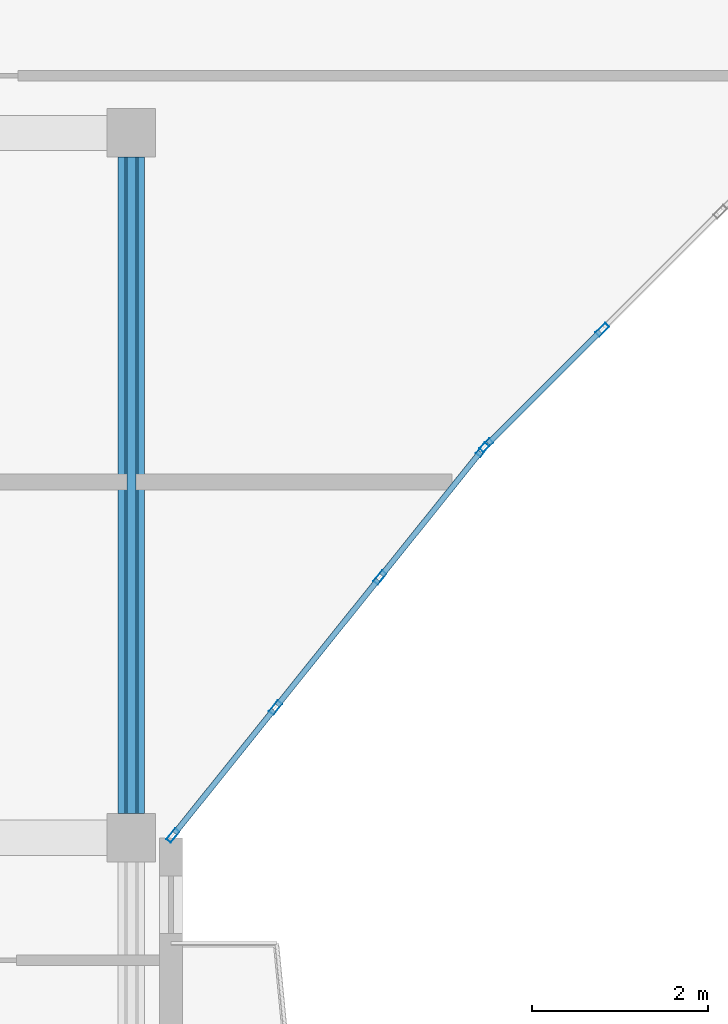
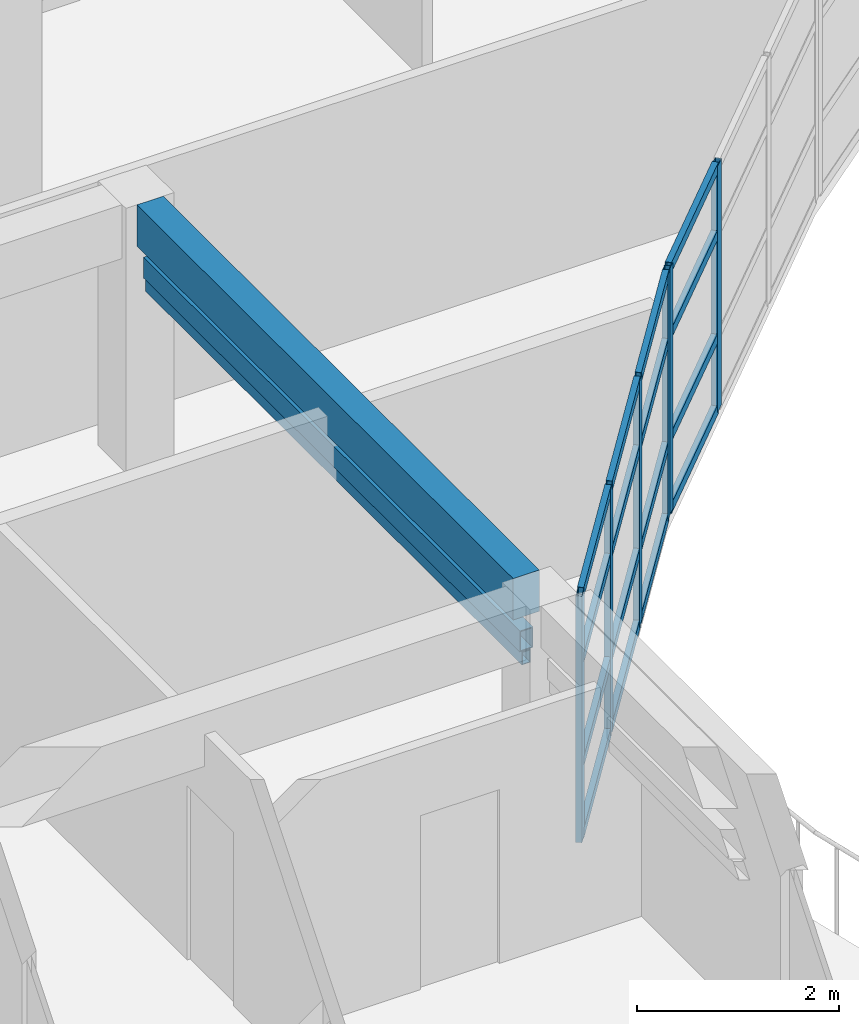
# One storey, part 6 of 68: 24 members, 1 beam, 2 elements without a shape of their own.
"""IFC4 building model written with IfcOpenShell, lengths in metres."""

from ifc_helpers import new_model, si_unit, direction, frame, origin, origin_2d, place, context, subcontext, project, spatial, rectangle, hollow_rectangle, extrude, material, layer, layer_set, material_profile, profile_set, type_object, element, aggregate, save


model = new_model("IFC4")

# Units and contexts
model_context = context("Model", 3, precision=1e-05, world=origin(), true_north=direction((0.0, 1.0)))
body_context = subcontext(model_context, "Body", "Model", "MODEL_VIEW")
ifc_project = project(units=[si_unit("LENGTHUNIT", "METRE"), si_unit("AREAUNIT", "SQUARE_METRE"), si_unit("VOLUMEUNIT", "CUBIC_METRE"), si_unit("PLANEANGLEUNIT", "RADIAN"), si_unit("MASSUNIT", "GRAM", prefix="KILO")], contexts=[model_context])

# Site, building, storey
site_placement = place(None, origin())
site = spatial("IfcSite", under=ifc_project, at=site_placement, CompositionType="ELEMENT")
building_placement = place(site_placement, origin())
building = spatial("IfcBuilding", under=site, at=building_placement, Name="Keldmere Railside Commons", CompositionType="ELEMENT")
storey_placement = place(building_placement, frame((0.0, 0.0, 23.360107421875)))
storey = spatial("IfcBuildingStorey", under=building, at=storey_placement, Name="L07", CompositionType="ELEMENT", Elevation=23.360107421875)

# Member
ifc_material_1 = material(Name="Steel F-36 (S355)", Category="steel")
ifc_material_profile_1 = material_profile(ifc_material_1, hollow_rectangle(XDim=0.14990234375, YDim=0.25, WallThickness=0.010009765625, at=origin_2d()), Name="RHS-250x150x10")
ifc_profile_set_1 = profile_set([ifc_material_profile_1], Name="Steel F-36 (S355)")
member_type_1 = type_object("IfcMemberType", Name="Balcony Continuous Planted Trough RHS250x150", PredefinedType="CHORD", material=ifc_profile_set_1)
member_1_placement = place(storey_placement, frame((63.550048828125, 88.27490234375, 2.414794921875), z_axis=(0.0, 1.0, 0.0), x_axis=(-1.0, 0.0, 0.0)))
element("IfcMember", 1, at=member_1_placement, inside=storey, type_object=member_type_1, Name="PLT-1 MEM-BPLT-0809", PredefinedType="CHORD", context=body_context, shape_type="SweptSolid", body=[
    extrude(hollow_rectangle(XDim=0.14990234375, YDim=0.25, WallThickness=0.010009765625, at=origin_2d()), origin(), (0.0, 0.0, 1.0), 7.4501953125),
])

# Beam
ifc_material_2 = material(Name="Concrete H-30 (C30/37)", Category="concrete")
ifc_material_profile_2 = material_profile(ifc_material_2, rectangle(XDim=0.300048828125, YDim=0.5, at=origin_2d()), Name="RC-300x500")
ifc_profile_set_2 = profile_set([ifc_material_profile_2], Name="Concrete H-30 (C30/37)")
beam_type = type_object("IfcBeamType", Name="Secondary Frame RC Beam 300x500", PredefinedType="BEAM", material=ifc_profile_set_2)
beam_placement = place(storey_placement, frame((63.550048828125, 88.27490234375, 2.949951171875), z_axis=(0.0, 1.0, 0.0), x_axis=(-1.0, 0.0, 0.0)))
element("IfcBeam", 2, at=beam_placement, inside=storey, type_object=beam_type, Name="BG-5 BM-L07-2114", PredefinedType="BEAM", context=body_context, shape_type="SweptSolid", body=[
    extrude(rectangle(XDim=0.300048828125, YDim=0.5, at=origin_2d()), origin(), (0.0, 0.0, 1.0), 7.4501953125),
])

# Member
ifc_material_profile_3 = material_profile(ifc_material_1, hollow_rectangle(XDim=0.10009765625, YDim=0.159912109375, WallThickness=0.008056640625, at=origin_2d()), Name="RHS-160x100x8")
ifc_profile_set_3 = profile_set([ifc_material_profile_3], Name="Steel F-36 (S355)")
member_type_2 = type_object("IfcMemberType", Name="Solar Brise-Soleil Louvre Fin RHS160x100", PredefinedType="STRUT", material=ifc_profile_set_3)
member_2_placement = place(storey_placement, frame((63.550048828125, 88.27490234375, 2.199951171875), z_axis=(0.0, 1.0, 0.0), x_axis=(-1.0, 0.0, 0.0)))
element("IfcMember", 3, at=member_2_placement, inside=storey, type_object=member_type_2, Name="BSF-1 MEM-BSF-0810", PredefinedType="STRUT", context=body_context, shape_type="SweptSolid", body=[
    extrude(hollow_rectangle(XDim=0.10009765625, YDim=0.159912109375, WallThickness=0.008056640625, at=origin_2d()), origin(), (0.0, 0.0, 1.0), 7.4501953125),
])

# Curtain wall, members
ifc_material_3 = material(Name="Thermally Broken Aluminium", Category="aluminium")
ifc_layer_1 = layer(ifc_material_3, 0.159912109375, Name="Court Chord Wintergarden CW 4800x2850")
ifc_layer_set_1 = layer_set([ifc_layer_1], Name="Thermally Broken Aluminium")
curtain_wall_type_1 = type_object("IfcCurtainWallType", Name="Court Chord Wintergarden CW 4800x2850", PredefinedType="NOTDEFINED", material=ifc_layer_set_1)
curtain_wall_1_placement = place(storey_placement, origin())
curtain_wall_1 = element("IfcCurtainWall", 4, at=curtain_wall_1_placement, inside=storey, type_object=curtain_wall_type_1, Name="CW-12 CW-L07-067", PredefinedType="NOTDEFINED")
ifc_material_profile_4 = material_profile(ifc_material_3, hollow_rectangle(XDim=0.06494140625, YDim=0.159912109375, WallThickness=0.00390625, at=origin_2d()), Name="ALU-MULL-65x160")
ifc_profile_set_4 = profile_set([ifc_material_profile_4], Name="Thermally Broken Aluminium")
member_type_3 = type_object("IfcMemberType", Name="Unitised Curtain Wall Mullion 65x160", PredefinedType="MULLION", material=ifc_profile_set_4)
member_3_placement = place(storey_placement, frame((67.53369140625, 92.404541015625, 0.0), z_axis=(0.0, 0.0, 1.0), x_axis=(0.780009172323, -0.625768080915, 0.0)))
member_3 = element("IfcMember", 5, at=member_3_placement, type_object=member_type_3, Name="CW-12 mullion 1", PredefinedType="MULLION", context=body_context, shape_type="SweptSolid", body=[
    extrude(hollow_rectangle(XDim=0.06494140625, YDim=0.159912109375, WallThickness=0.00390625, at=origin_2d()), origin(), (0.0, 0.0, 1.0), 2.97998046875),
])
member_4_placement = place(storey_placement, frame((66.369384765625, 90.953369140625, 0.0), z_axis=(0.0, 0.0, 1.0), x_axis=(0.780009172323, -0.625768080915, 0.0)))
member_4 = element("IfcMember", 6, at=member_4_placement, type_object=member_type_3, Name="CW-12 mullion 2", PredefinedType="MULLION", context=body_context, shape_type="SweptSolid", body=[
    extrude(hollow_rectangle(XDim=0.06494140625, YDim=0.159912109375, WallThickness=0.00390625, at=origin_2d()), origin(), (0.0, 0.0, 1.0), 2.97998046875),
])
member_5_placement = place(storey_placement, frame((65.1845703125, 89.4765625, 0.0), z_axis=(0.0, 0.0, 1.0), x_axis=(0.780009172323, -0.625768080915, 0.0)))
member_5 = element("IfcMember", 7, at=member_5_placement, type_object=member_type_3, Name="CW-12 mullion 3", PredefinedType="MULLION", context=body_context, shape_type="SweptSolid", body=[
    extrude(hollow_rectangle(XDim=0.06494140625, YDim=0.159912109375, WallThickness=0.00390625, at=origin_2d()), origin(), (0.0, 0.0, 1.0), 2.97998046875),
])
member_6_placement = place(storey_placement, frame((64.020263671875, 88.025390625, 0.0), z_axis=(0.0, 0.0, 1.0), x_axis=(0.780009172323, -0.625768080915, 0.0)))
member_6 = element("IfcMember", 8, at=member_6_placement, type_object=member_type_3, Name="CW-12 mullion 4", PredefinedType="MULLION", context=body_context, shape_type="SweptSolid", body=[
    extrude(hollow_rectangle(XDim=0.06494140625, YDim=0.159912109375, WallThickness=0.00390625, at=origin_2d()), origin(), (0.0, 0.0, 1.0), 2.97998046875),
])

ifc_layer_2 = layer(ifc_material_3, 0.159912109375, Name="Court Chord Wintergarden CW 5400x2850")
ifc_layer_set_2 = layer_set([ifc_layer_2], Name="Thermally Broken Aluminium")
curtain_wall_type_2 = type_object("IfcCurtainWallType", Name="Court Chord Wintergarden CW 5400x2850", PredefinedType="NOTDEFINED", material=ifc_layer_set_2)
curtain_wall_2_placement = place(storey_placement, origin())
curtain_wall_2 = element("IfcCurtainWall", 9, at=curtain_wall_2_placement, inside=storey, type_object=curtain_wall_type_2, Name="CW-13 CW-L07-068", PredefinedType="NOTDEFINED")
member_7_placement = place(storey_placement, frame((68.892578125, 93.7685546875, 0.0), z_axis=(0.0, 0.0, 1.0), x_axis=(0.707106781187, -0.707106781187, 0.0)))
member_7 = element("IfcMember", 10, at=member_7_placement, type_object=member_type_3, Name="CW-13 mullion 3", PredefinedType="MULLION", context=body_context, shape_type="SweptSolid", body=[
    extrude(hollow_rectangle(XDim=0.06494140625, YDim=0.159912109375, WallThickness=0.00390625, at=origin_2d()), origin(), (0.0, 0.0, 1.0), 2.97998046875),
])
member_8_placement = place(storey_placement, frame((67.576904296875, 92.452880859375, 0.0), z_axis=(0.0, 0.0, 1.0), x_axis=(0.707106781187, -0.707106781187, 0.0)))
member_8 = element("IfcMember", 11, at=member_8_placement, type_object=member_type_3, Name="CW-13 mullion 4", PredefinedType="MULLION", context=body_context, shape_type="SweptSolid", body=[
    extrude(hollow_rectangle(XDim=0.06494140625, YDim=0.159912109375, WallThickness=0.00390625, at=origin_2d()), origin(), (0.0, 0.0, 1.0), 2.97998046875),
])

# Member
ifc_material_profile_5 = material_profile(ifc_material_3, hollow_rectangle(XDim=0.06494140625, YDim=0.1201171875, WallThickness=0.00390625, at=origin_2d()), Name="ALU-TRAN-65x120")
ifc_profile_set_5 = profile_set([ifc_material_profile_5], Name="Thermally Broken Aluminium")
member_type_4 = type_object("IfcMemberType", Name="Unitised Curtain Wall Transom 65x120", PredefinedType="USERDEFINED", material=ifc_profile_set_5)
member_9_placement = place(storey_placement, frame((67.513427734375, 92.37939453125, 0.032470703125), z_axis=(-0.625805275091, -0.779979331565, 0.0), x_axis=(0.779979331565, -0.625805275091, 0.0)))
member_9 = element("IfcMember", 12, at=member_9_placement, type_object=member_type_4, Name="CW-12 transom 1.1", ObjectType="TRANSOM", PredefinedType="USERDEFINED", context=body_context, shape_type="SweptSolid", body=[
    extrude(hollow_rectangle(XDim=0.06494140625, YDim=0.1201171875, WallThickness=0.00390625, at=origin_2d()), origin(), (0.0, 0.0, 1.0), 1.795654296875),
])

member_10_placement = place(storey_placement, frame((67.513427734375, 92.37939453125, 0.89990234375), z_axis=(-0.625805275091, -0.779979331565, 0.0), x_axis=(0.779979331565, -0.625805275091, 0.0)))
member_10 = element("IfcMember", 13, at=member_10_placement, type_object=member_type_4, Name="CW-12 transom 1.2", ObjectType="TRANSOM", PredefinedType="USERDEFINED", context=body_context, shape_type="SweptSolid", body=[
    extrude(hollow_rectangle(XDim=0.06494140625, YDim=0.1201171875, WallThickness=0.00390625, at=origin_2d()), origin(), (0.0, 0.0, 1.0), 1.795654296875),
])

member_11_placement = place(storey_placement, frame((67.513427734375, 92.37939453125, 2.14990234375), z_axis=(-0.625805275091, -0.779979331565, 0.0), x_axis=(0.779979331565, -0.625805275091, 0.0)))
member_11 = element("IfcMember", 14, at=member_11_placement, type_object=member_type_4, Name="CW-12 transom 1.3", ObjectType="TRANSOM", PredefinedType="USERDEFINED", context=body_context, shape_type="SweptSolid", body=[
    extrude(hollow_rectangle(XDim=0.06494140625, YDim=0.1201171875, WallThickness=0.00390625, at=origin_2d()), origin(), (0.0, 0.0, 1.0), 1.795654296875),
])

member_12_placement = place(storey_placement, frame((67.513427734375, 92.37939453125, 2.947509765625), z_axis=(-0.625805275091, -0.779979331565, 0.0), x_axis=(0.779979331565, -0.625805275091, 0.0)))
member_12 = element("IfcMember", 15, at=member_12_placement, type_object=member_type_4, Name="CW-12 transom 1.4", ObjectType="TRANSOM", PredefinedType="USERDEFINED", context=body_context, shape_type="SweptSolid", body=[
    extrude(hollow_rectangle(XDim=0.06494140625, YDim=0.1201171875, WallThickness=0.00390625, at=origin_2d()), origin(), (0.0, 0.0, 1.0), 1.795654296875),
])

member_13_placement = place(storey_placement, frame((66.348876953125, 90.927978515625, 0.032470703125), z_axis=(-0.625688033635, -0.78007338409, 0.0), x_axis=(0.78007338409, -0.625688033635, 0.0)))
member_13 = element("IfcMember", 16, at=member_13_placement, type_object=member_type_4, Name="CW-12 transom 2.1", ObjectType="TRANSOM", PredefinedType="USERDEFINED", context=body_context, shape_type="SweptSolid", body=[
    extrude(hollow_rectangle(XDim=0.06494140625, YDim=0.1201171875, WallThickness=0.00390625, at=origin_2d()), origin(), (0.0, 0.0, 1.0), 1.828125),
])

member_14_placement = place(storey_placement, frame((66.348876953125, 90.927978515625, 0.89990234375), z_axis=(-0.625688033635, -0.78007338409, 0.0), x_axis=(0.78007338409, -0.625688033635, 0.0)))
member_14 = element("IfcMember", 17, at=member_14_placement, type_object=member_type_4, Name="CW-12 transom 2.2", ObjectType="TRANSOM", PredefinedType="USERDEFINED", context=body_context, shape_type="SweptSolid", body=[
    extrude(hollow_rectangle(XDim=0.06494140625, YDim=0.1201171875, WallThickness=0.00390625, at=origin_2d()), origin(), (0.0, 0.0, 1.0), 1.828125),
])

member_15_placement = place(storey_placement, frame((66.348876953125, 90.927978515625, 2.14990234375), z_axis=(-0.625688033635, -0.78007338409, 0.0), x_axis=(0.78007338409, -0.625688033635, 0.0)))
member_15 = element("IfcMember", 18, at=member_15_placement, type_object=member_type_4, Name="CW-12 transom 2.3", ObjectType="TRANSOM", PredefinedType="USERDEFINED", context=body_context, shape_type="SweptSolid", body=[
    extrude(hollow_rectangle(XDim=0.06494140625, YDim=0.1201171875, WallThickness=0.00390625, at=origin_2d()), origin(), (0.0, 0.0, 1.0), 1.828125),
])

member_16_placement = place(storey_placement, frame((66.348876953125, 90.927978515625, 2.947509765625), z_axis=(-0.625688033635, -0.78007338409, 0.0), x_axis=(0.78007338409, -0.625688033635, 0.0)))
member_16 = element("IfcMember", 19, at=member_16_placement, type_object=member_type_4, Name="CW-12 transom 2.4", ObjectType="TRANSOM", PredefinedType="USERDEFINED", context=body_context, shape_type="SweptSolid", body=[
    extrude(hollow_rectangle(XDim=0.06494140625, YDim=0.1201171875, WallThickness=0.00390625, at=origin_2d()), origin(), (0.0, 0.0, 1.0), 1.828125),
])

member_17_placement = place(storey_placement, frame((65.164306640625, 89.451416015625, 0.032470703125), z_axis=(-0.625722553313, -0.780045694992, 0.0), x_axis=(0.780045694992, -0.625722553313, 0.0)))
member_17 = element("IfcMember", 20, at=member_17_placement, type_object=member_type_4, Name="CW-12 transom 3.1", ObjectType="TRANSOM", PredefinedType="USERDEFINED", context=body_context, shape_type="SweptSolid", body=[
    extrude(hollow_rectangle(XDim=0.06494140625, YDim=0.1201171875, WallThickness=0.00390625, at=origin_2d()), origin(), (0.0, 0.0, 1.0), 1.795654296875),
])

member_18_placement = place(storey_placement, frame((65.164306640625, 89.451416015625, 0.89990234375), z_axis=(-0.625722553313, -0.780045694992, 0.0), x_axis=(0.780045694992, -0.625722553313, 0.0)))
member_18 = element("IfcMember", 21, at=member_18_placement, type_object=member_type_4, Name="CW-12 transom 3.2", ObjectType="TRANSOM", PredefinedType="USERDEFINED", context=body_context, shape_type="SweptSolid", body=[
    extrude(hollow_rectangle(XDim=0.06494140625, YDim=0.1201171875, WallThickness=0.00390625, at=origin_2d()), origin(), (0.0, 0.0, 1.0), 1.795654296875),
])

member_19_placement = place(storey_placement, frame((65.164306640625, 89.451416015625, 2.14990234375), z_axis=(-0.625722553313, -0.780045694992, 0.0), x_axis=(0.780045694992, -0.625722553313, 0.0)))
member_19 = element("IfcMember", 22, at=member_19_placement, type_object=member_type_4, Name="CW-12 transom 3.3", ObjectType="TRANSOM", PredefinedType="USERDEFINED", context=body_context, shape_type="SweptSolid", body=[
    extrude(hollow_rectangle(XDim=0.06494140625, YDim=0.1201171875, WallThickness=0.00390625, at=origin_2d()), origin(), (0.0, 0.0, 1.0), 1.795654296875),
])

member_20_placement = place(storey_placement, frame((65.164306640625, 89.451416015625, 2.947509765625), z_axis=(-0.625722553313, -0.780045694992, 0.0), x_axis=(0.780045694992, -0.625722553313, 0.0)))
member_20 = element("IfcMember", 23, at=member_20_placement, type_object=member_type_4, Name="CW-12 transom 3.4", ObjectType="TRANSOM", PredefinedType="USERDEFINED", context=body_context, shape_type="SweptSolid", body=[
    extrude(hollow_rectangle(XDim=0.06494140625, YDim=0.1201171875, WallThickness=0.00390625, at=origin_2d()), origin(), (0.0, 0.0, 1.0), 1.795654296875),
])

aggregate(curtain_wall_1, [member_3, member_4, member_5, member_6, member_9, member_10, member_11, member_12, member_13, member_14, member_15, member_16, member_17, member_18, member_19, member_20])

member_21_placement = place(storey_placement, frame((68.86962890625, 93.74560546875, 0.032470703125), z_axis=(-0.707174762418, -0.707038793419, 0.0), x_axis=(0.707038793419, -0.707174762418, 0.0)))
member_21 = element("IfcMember", 24, at=member_21_placement, type_object=member_type_4, Name="CW-13 transom 3.1", ObjectType="TRANSOM", PredefinedType="USERDEFINED", context=body_context, shape_type="SweptSolid", body=[
    extrude(hollow_rectangle(XDim=0.06494140625, YDim=0.1201171875, WallThickness=0.00390625, at=origin_2d()), origin(), (0.0, 0.0, 1.0), 1.795654296875),
])

member_22_placement = place(storey_placement, frame((68.86962890625, 93.74560546875, 0.89990234375), z_axis=(-0.707174762418, -0.707038793419, 0.0), x_axis=(0.707038793419, -0.707174762418, 0.0)))
member_22 = element("IfcMember", 25, at=member_22_placement, type_object=member_type_4, Name="CW-13 transom 3.2", ObjectType="TRANSOM", PredefinedType="USERDEFINED", context=body_context, shape_type="SweptSolid", body=[
    extrude(hollow_rectangle(XDim=0.06494140625, YDim=0.1201171875, WallThickness=0.00390625, at=origin_2d()), origin(), (0.0, 0.0, 1.0), 1.795654296875),
])

member_23_placement = place(storey_placement, frame((68.86962890625, 93.74560546875, 2.14990234375), z_axis=(-0.707174762418, -0.707038793419, 0.0), x_axis=(0.707038793419, -0.707174762418, 0.0)))
member_23 = element("IfcMember", 26, at=member_23_placement, type_object=member_type_4, Name="CW-13 transom 3.3", ObjectType="TRANSOM", PredefinedType="USERDEFINED", context=body_context, shape_type="SweptSolid", body=[
    extrude(hollow_rectangle(XDim=0.06494140625, YDim=0.1201171875, WallThickness=0.00390625, at=origin_2d()), origin(), (0.0, 0.0, 1.0), 1.795654296875),
])

member_24_placement = place(storey_placement, frame((68.86962890625, 93.74560546875, 2.947509765625), z_axis=(-0.707174762418, -0.707038793419, 0.0), x_axis=(0.707038793419, -0.707174762418, 0.0)))
member_24 = element("IfcMember", 27, at=member_24_placement, type_object=member_type_4, Name="CW-13 transom 3.4", ObjectType="TRANSOM", PredefinedType="USERDEFINED", context=body_context, shape_type="SweptSolid", body=[
    extrude(hollow_rectangle(XDim=0.06494140625, YDim=0.1201171875, WallThickness=0.00390625, at=origin_2d()), origin(), (0.0, 0.0, 1.0), 1.795654296875),
])

aggregate(curtain_wall_2, [member_7, member_8, member_21, member_22, member_23, member_24])

save(model, "model.ifc")
